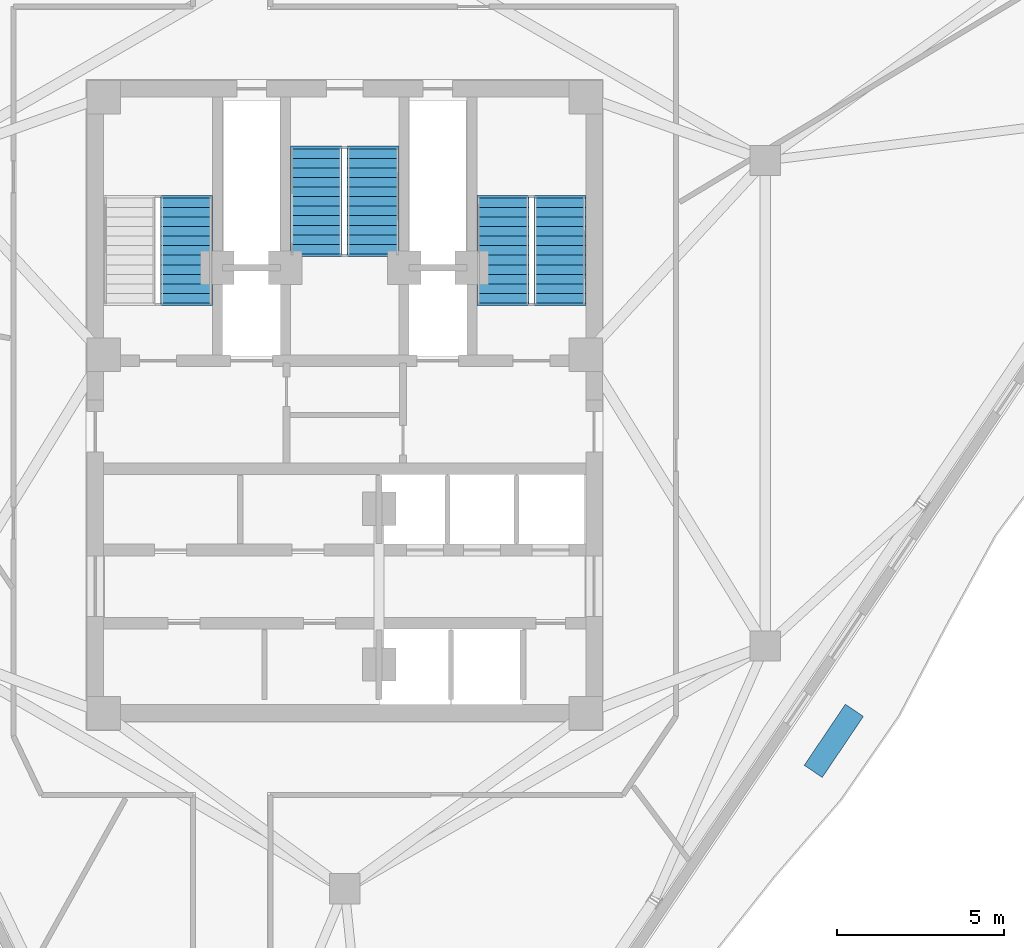
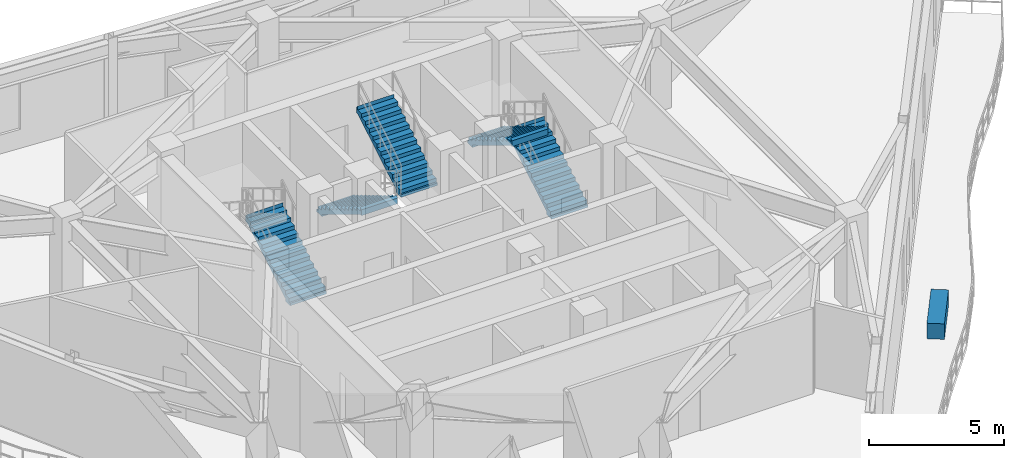
# One storey, part 8 of 11: 5 stair flights, 1 discrete accessory, 3 elements without a shape of their own.
"""IFC4 building model written with IfcOpenShell, lengths in metres."""

from ifc_helpers import new_model, si_unit, direction, frame, origin, origin_2d, place, context, subcontext, project, spatial, polyline, rectangle, outline, extrude, material, type_object, element, aggregate, save


model = new_model("IFC4")

# Units and contexts
model_context = context("Model", 3, precision=1e-05, world=origin(), true_north=direction((0.0, 1.0)))
body_context = subcontext(model_context, "Body", "Model", "MODEL_VIEW")
ifc_project = project(units=[si_unit("LENGTHUNIT", "METRE"), si_unit("AREAUNIT", "SQUARE_METRE"), si_unit("VOLUMEUNIT", "CUBIC_METRE"), si_unit("PLANEANGLEUNIT", "RADIAN"), si_unit("MASSUNIT", "GRAM", prefix="KILO")], contexts=[model_context])

# Site, building, storey
site_placement = place(None, origin())
site = spatial("IfcSite", under=ifc_project, at=site_placement, CompositionType="ELEMENT")
building_placement = place(site_placement, origin())
building = spatial("IfcBuilding", under=site, at=building_placement, Name="Apsidion Concourse Tower", CompositionType="ELEMENT")
storey_placement = place(building_placement, frame((0.0, 0.0, 294.199951171875)))
storey = spatial("IfcBuildingStorey", under=building, at=storey_placement, Name="L69", CompositionType="ELEMENT", Elevation=294.199951171875)

# Stair, stair flight
ifc_material = material(Name="Precast concrete C40/50", Category="concrete")
stair_type = type_object("IfcStairType", Name="ST-DL-1550", PredefinedType="HALF_TURN_STAIR", material=ifc_material)
stair_1_placement = place(storey_placement, origin())
stair_1 = element("IfcStair", 1, at=stair_1_placement, inside=storey, type_object=stair_type, Name="L69 Protected Core Exit Stair ST1", PredefinedType="HALF_TURN_STAIR")
stair_flight_type = type_object("IfcStairFlightType", Name="SFL-RC-1550", PredefinedType="STRAIGHT", material=ifc_material)
stair_flight_1_placement = place(storey_placement, frame((-4.72509765625, 3.0, 0.0), z_axis=(0.0, 0.0, 1.0), x_axis=(0.0, 1.0, 0.0)))
stair_flight_1 = element("IfcStairFlight", 2, at=stair_flight_1_placement, type_object=stair_flight_type, Name="ST1 flight 1", NumberOfRisers=12, NumberOfTreads=11, PredefinedType="STRAIGHT", RiserHeight=0.170833333, TreadLength=0.285, context=body_context, shape_type="SweptSolid", body=[
    extrude(outline(polyline([(-0.080078125, -0.1123046875), (-0.080078125, 0.0), (0.0, 0.0), (0.0, 0.1708984375), (0.284912109375, 0.1708984375), (0.284912109375, 0.341552734375), (0.570068359375, 0.341552734375), (0.570068359375, 0.512451171875), (0.85498046875, 0.512451171875), (0.85498046875, 0.683349609375), (1.139892578125, 0.683349609375), (1.139892578125, 0.854248046875), (1.425048828125, 0.854248046875), (1.425048828125, 1.02490234375), (1.7099609375, 1.02490234375), (1.7099609375, 1.19580078125), (1.9951171875, 1.19580078125), (1.9951171875, 1.36669921875), (2.280029296875, 1.36669921875), (2.280029296875, 1.53759765625), (2.56494140625, 1.53759765625), (2.56494140625, 1.708251953125), (2.85009765625, 1.708251953125), (2.85009765625, 1.879150390625), (3.135009765625, 1.879150390625), (3.135009765625, 2.050048828125), (3.215087890625, 1.964599609375), (3.215087890625, 1.704345703125), (3.135009765625, 1.704345703125), (0.29150390625, 0.0), (0.29150390625, -0.1123046875), (-0.080078125, -0.1123046875)])), frame((0.0, 0.77490234375, 0.0), z_axis=(0.0, -1.0, 0.0), x_axis=(1.0, 0.0, 0.0)), (0.0, 0.0, 1.0), 1.550048828125),
])
aggregate(stair_1, [stair_flight_1])

# Stair, stair flights
stair_2_placement = place(storey_placement, origin())
stair_2 = element("IfcStair", 3, at=stair_2_placement, inside=storey, type_object=stair_type, Name="L69 Protected Core Exit Stair ST2", PredefinedType="HALF_TURN_STAIR")
stair_flight_2_placement = place(storey_placement, frame((6.425048828125, 3.0, 0.0), z_axis=(0.0, 0.0, 1.0), x_axis=(0.0, 1.0, 0.0)))
stair_flight_2 = element("IfcStairFlight", 4, at=stair_flight_2_placement, type_object=stair_flight_type, Name="ST2 flight 1", NumberOfRisers=12, NumberOfTreads=11, PredefinedType="STRAIGHT", RiserHeight=0.170833333, TreadLength=0.285, context=body_context, shape_type="SweptSolid", body=[
    extrude(outline(polyline([(-0.080078125, -0.1123046875), (-0.080078125, 0.0), (0.0, 0.0), (0.0, 0.1708984375), (0.284912109375, 0.1708984375), (0.284912109375, 0.341552734375), (0.570068359375, 0.341552734375), (0.570068359375, 0.512451171875), (0.85498046875, 0.512451171875), (0.85498046875, 0.683349609375), (1.139892578125, 0.683349609375), (1.139892578125, 0.854248046875), (1.425048828125, 0.854248046875), (1.425048828125, 1.02490234375), (1.7099609375, 1.02490234375), (1.7099609375, 1.19580078125), (1.9951171875, 1.19580078125), (1.9951171875, 1.36669921875), (2.280029296875, 1.36669921875), (2.280029296875, 1.53759765625), (2.56494140625, 1.53759765625), (2.56494140625, 1.708251953125), (2.85009765625, 1.708251953125), (2.85009765625, 1.879150390625), (3.135009765625, 1.879150390625), (3.135009765625, 2.050048828125), (3.215087890625, 1.964599609375), (3.215087890625, 1.704345703125), (3.135009765625, 1.704345703125), (0.29150390625, 0.0), (0.29150390625, -0.1123046875), (-0.080078125, -0.1123046875)])), frame((0.0, 0.77490234375, 0.0), z_axis=(0.0, -1.0, 0.0), x_axis=(1.0, 0.0, 0.0)), (0.0, 0.0, 1.0), 1.550048828125),
])
stair_flight_3_placement = place(storey_placement, frame((4.72509765625, 6.135009765625, 2.050048828125), z_axis=(0.0, 0.0, 1.0), x_axis=(0.0, -1.0, 0.0)))
stair_flight_3 = element("IfcStairFlight", 5, at=stair_flight_3_placement, type_object=stair_flight_type, Name="ST2 flight 2", NumberOfRisers=12, NumberOfTreads=11, PredefinedType="STRAIGHT", RiserHeight=0.170833333, TreadLength=0.285, context=body_context, shape_type="SweptSolid", body=[
    extrude(outline(polyline([(-0.080078125, -0.1123046875), (-0.080078125, 0.0), (0.0, 0.0), (0.0, 0.1708984375), (0.284912109375, 0.1708984375), (0.284912109375, 0.341552734375), (0.570068359375, 0.341552734375), (0.570068359375, 0.512451171875), (0.85498046875, 0.512451171875), (0.85498046875, 0.683349609375), (1.139892578125, 0.683349609375), (1.139892578125, 0.854248046875), (1.425048828125, 0.854248046875), (1.425048828125, 1.02490234375), (1.7099609375, 1.02490234375), (1.7099609375, 1.19580078125), (1.9951171875, 1.19580078125), (1.9951171875, 1.36669921875), (2.280029296875, 1.36669921875), (2.280029296875, 1.53759765625), (2.56494140625, 1.53759765625), (2.56494140625, 1.708251953125), (2.85009765625, 1.708251953125), (2.85009765625, 1.879150390625), (3.135009765625, 1.879150390625), (3.135009765625, 2.050048828125), (3.215087890625, 1.964599609375), (3.215087890625, 1.704345703125), (3.135009765625, 1.704345703125), (0.29150390625, 0.0), (0.29150390625, -0.1123046875), (-0.080078125, -0.1123046875)])), frame((0.0, 0.77490234375, 0.0), z_axis=(0.0, -1.0, 0.0), x_axis=(1.0, 0.0, 0.0)), (0.0, 0.0, 1.0), 1.550048828125),
])
aggregate(stair_2, [stair_flight_2, stair_flight_3])

stair_3_placement = place(storey_placement, origin())
stair_3 = element("IfcStair", 6, at=stair_3_placement, inside=storey, type_object=stair_type, Name="L69 Protected Core Exit Stair ST3", PredefinedType="HALF_TURN_STAIR")
stair_flight_4_placement = place(storey_placement, frame((-0.85009765625, 7.60009765625, 0.0), z_axis=(0.0, 0.0, 1.0), x_axis=(0.0, -1.0, 0.0)))
stair_flight_4 = element("IfcStairFlight", 7, at=stair_flight_4_placement, type_object=stair_flight_type, Name="ST3 flight 1", NumberOfRisers=12, NumberOfTreads=11, PredefinedType="STRAIGHT", RiserHeight=0.170833333, TreadLength=0.285, context=body_context, shape_type="SweptSolid", body=[
    extrude(outline(polyline([(-0.080078125, -0.1123046875), (-0.080078125, 0.0), (0.0, 0.0), (0.0, 0.1708984375), (0.284912109375, 0.1708984375), (0.284912109375, 0.341552734375), (0.570068359375, 0.341552734375), (0.570068359375, 0.512451171875), (0.85498046875, 0.512451171875), (0.85498046875, 0.683349609375), (1.139892578125, 0.683349609375), (1.139892578125, 0.854248046875), (1.425048828125, 0.854248046875), (1.425048828125, 1.02490234375), (1.7099609375, 1.02490234375), (1.7099609375, 1.19580078125), (1.9951171875, 1.19580078125), (1.9951171875, 1.36669921875), (2.280029296875, 1.36669921875), (2.280029296875, 1.53759765625), (2.56494140625, 1.53759765625), (2.56494140625, 1.708251953125), (2.85009765625, 1.708251953125), (2.85009765625, 1.879150390625), (3.135009765625, 1.879150390625), (3.135009765625, 2.050048828125), (3.215087890625, 1.964599609375), (3.215087890625, 1.704345703125), (3.135009765625, 1.704345703125), (0.29150390625, 0.0), (0.29150390625, -0.1123046875), (-0.080078125, -0.1123046875)])), frame((0.0, 0.77490234375, 0.0), z_axis=(0.0, -1.0, 0.0), x_axis=(1.0, 0.0, 0.0)), (0.0, 0.0, 1.0), 1.550048828125),
])
stair_flight_5_placement = place(storey_placement, frame((0.85009765625, 4.465087890625, 2.050048828125), z_axis=(0.0, 0.0, 1.0), x_axis=(0.0, 1.0, 0.0)))
stair_flight_5 = element("IfcStairFlight", 8, at=stair_flight_5_placement, type_object=stair_flight_type, Name="ST3 flight 2", NumberOfRisers=12, NumberOfTreads=11, PredefinedType="STRAIGHT", RiserHeight=0.170833333, TreadLength=0.285, context=body_context, shape_type="SweptSolid", body=[
    extrude(outline(polyline([(-0.080078125, -0.1123046875), (-0.080078125, 0.0), (0.0, 0.0), (0.0, 0.1708984375), (0.284912109375, 0.1708984375), (0.284912109375, 0.341552734375), (0.570068359375, 0.341552734375), (0.570068359375, 0.512451171875), (0.85498046875, 0.512451171875), (0.85498046875, 0.683349609375), (1.139892578125, 0.683349609375), (1.139892578125, 0.854248046875), (1.425048828125, 0.854248046875), (1.425048828125, 1.02490234375), (1.7099609375, 1.02490234375), (1.7099609375, 1.19580078125), (1.9951171875, 1.19580078125), (1.9951171875, 1.36669921875), (2.280029296875, 1.36669921875), (2.280029296875, 1.53759765625), (2.56494140625, 1.53759765625), (2.56494140625, 1.708251953125), (2.85009765625, 1.708251953125), (2.85009765625, 1.879150390625), (3.135009765625, 1.879150390625), (3.135009765625, 2.050048828125), (3.215087890625, 1.964599609375), (3.215087890625, 1.704345703125), (3.135009765625, 1.704345703125), (0.29150390625, 0.0), (0.29150390625, -0.1123046875), (-0.080078125, -0.1123046875)])), frame((0.0, 0.77490234375, 0.0), z_axis=(0.0, -1.0, 0.0), x_axis=(1.0, 0.0, 0.0)), (0.0, 0.0, 1.0), 1.550048828125),
])
aggregate(stair_3, [stair_flight_4, stair_flight_5])

# Discrete accessory
discrete_accessory_type = type_object("IfcDiscreteAccessoryType", Name="ACC-PLANTER-90", PredefinedType="USERDEFINED", material=ifc_material)
discrete_accessory_placement = place(storey_placement, frame((14.609619140625, -10.080810546875, 0.0), z_axis=(0.0, 0.0, 1.0), x_axis=(0.559192903471, 0.829037572555, 0.0)))
element("IfcDiscreteAccessory", 9, at=discrete_accessory_placement, inside=storey, type_object=discrete_accessory_type, Name="L69 Spiral Sky-Terrace Planter 2", ObjectType="PLANTER", PredefinedType="USERDEFINED", context=body_context, shape_type="SweptSolid", body=[
    extrude(rectangle(XDim=2.199951171875, YDim=0.64990234375, at=origin_2d()), origin(), (0.0, 0.0, 1.0), 0.699951171875),
])

save(model, "model.ifc")
